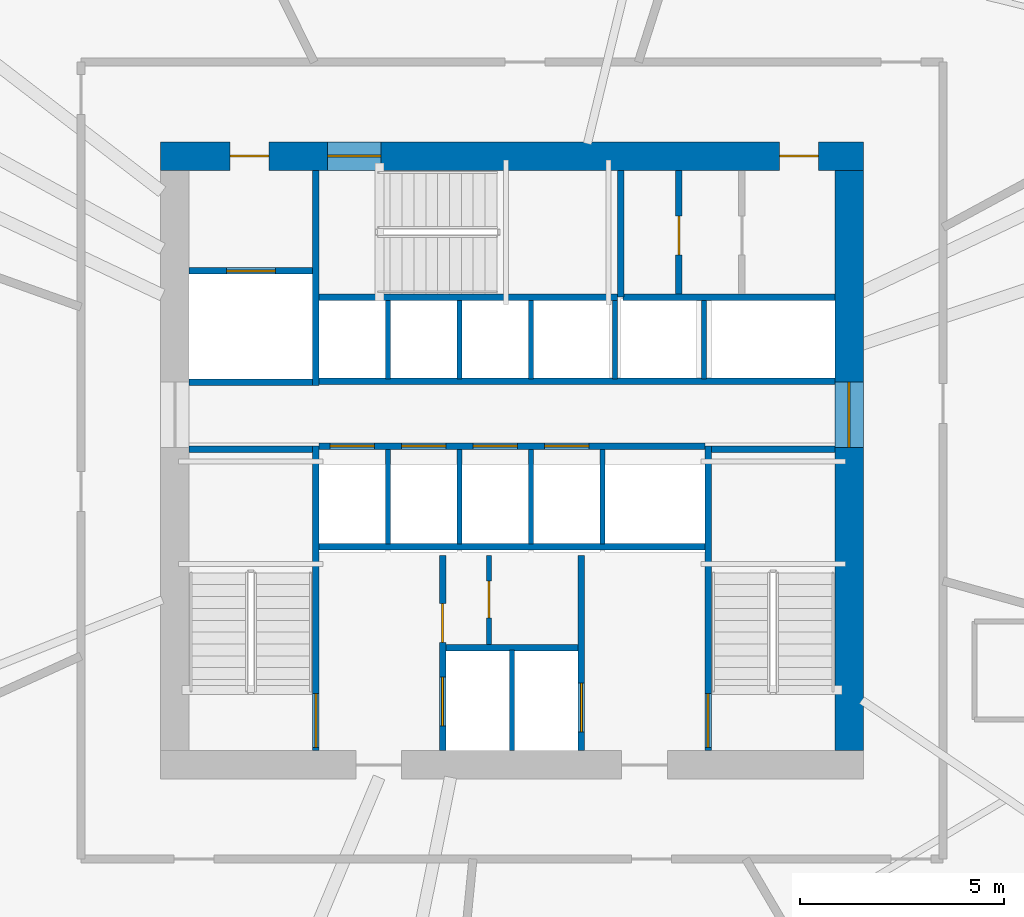
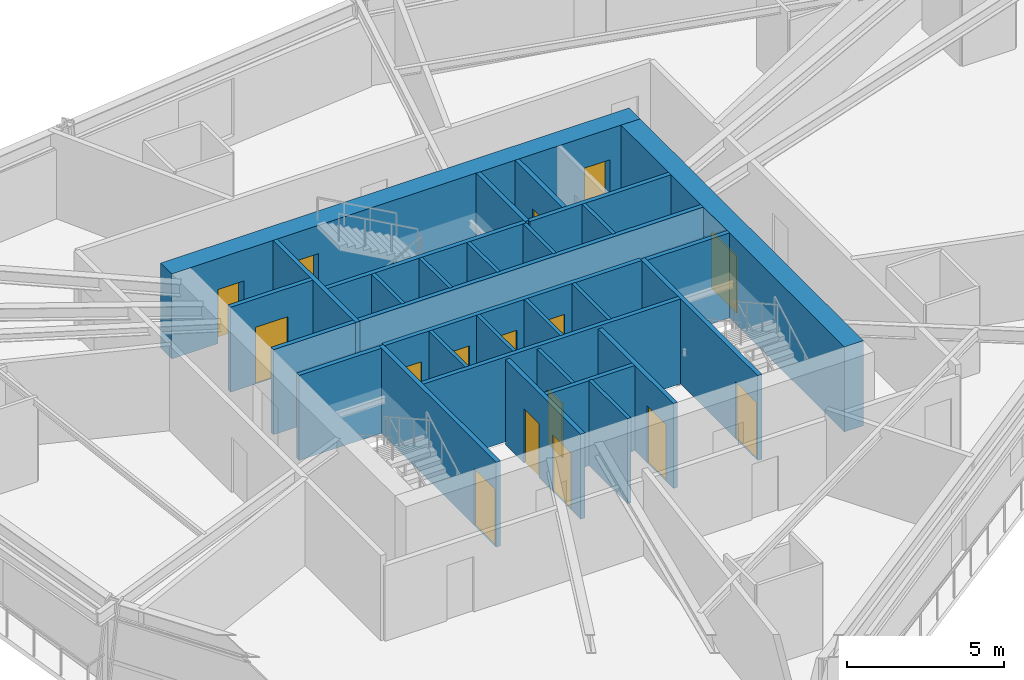
# One storey, part 13 of 18: 30 walls, 16 doors, 16 openings.
"""IFC4 building model written with IfcOpenShell, lengths in metres."""

import ifcopenshell
import ifcopenshell.guid

model = None  # the IFC model being written
_history = None  # IfcOwnerHistory: only IFC2X3 demands one
_inside = {}  # id of a spatial element -> (the spatial element, [elements in it])
_under = {}  # id of a project, library or spatial element -> (it, [spatial elements below it])
_declared = {}  # id of a project -> (the project, [libraries it declares])
_typed = {}  # id of a type object -> (the type object, [elements of that type])
_made_of = {}  # id of a material, layer set ... -> (it, [elements and type objects made of it])


def new_model(schema):
    """Start an empty IFC model of exactly this schema.

    Asked for "IFC4X3", IfcOpenShell would pick the latest addendum, in which some entities
    have other attributes; the version numbers below select the first issue.
    IFC2X3 requires an IfcOwnerHistory on every rooted entity: one is made here for all.
    """
    global model, _history
    if schema == "IFC4X3":
        model = ifcopenshell.file(schema_version=(4, 3, 0, 0))
    else:
        model = ifcopenshell.file(schema=schema)
    _inside.clear()
    _under.clear()
    _declared.clear()
    _typed.clear()
    _made_of.clear()
    _history = None
    if model.schema == "IFC2X3":
        org = make("IfcOrganization", Name="unknown")
        user = make(
            "IfcPersonAndOrganization",
            ThePerson=make("IfcPerson", FamilyName="unknown"),
            TheOrganization=org,
        )
        app = make(
            "IfcApplication",
            ApplicationDeveloper=org,
            Version="unknown",
            ApplicationFullName="unknown",
            ApplicationIdentifier="unknown",
        )
        _history = make(
            "IfcOwnerHistory",
            OwningUser=user,
            OwningApplication=app,
            ChangeAction="ADDED",
            CreationDate=0,
        )
    return model


def make(cls, **values):
    """One entity of the class cls with the attributes given. An attribute that is None is left unset."""
    return model.create_entity(
        cls, **{name: value for name, value in values.items() if value is not None}
    )


def rooted(cls, **values):
    """An entity with a GlobalId (a new one), such as an element, a storey or a relation."""
    return make(cls, GlobalId=ifcopenshell.guid.new(), OwnerHistory=_history, **values)


def si_unit(unit_type, name, prefix=None):
    """IfcSIUnit, for example si_unit("LENGTHUNIT", "METRE", prefix="MILLI")."""
    return make("IfcSIUnit", UnitType=unit_type, Prefix=prefix, Name=name)


def assignment(units):
    """IfcUnitAssignment: the units of a project."""
    return None if units is None else make("IfcUnitAssignment", Units=units)


def point(xyz):
    """IfcCartesianPoint."""
    return None if xyz is None else make("IfcCartesianPoint", Coordinates=xyz)


def direction(xyz):
    """IfcDirection."""
    return None if xyz is None else make("IfcDirection", DirectionRatios=xyz)


def frame(location, z_axis=None, x_axis=None):
    """IfcAxis2Placement3D, a coordinate frame: its origin and axes. An axis left out is left unset."""
    return make(
        "IfcAxis2Placement3D",
        Location=point(location),
        Axis=direction(z_axis),
        RefDirection=direction(x_axis),
    )


def frame_2d(location, x_axis=None):
    """IfcAxis2Placement2D, a coordinate frame in the plane: its origin and x axis."""
    return make(
        "IfcAxis2Placement2D", Location=point(location), RefDirection=direction(x_axis)
    )


def origin():
    """The frame at (0, 0, 0) with its axes left unset."""
    return frame((0.0, 0.0, 0.0))


def place(relative_to, where):
    """IfcLocalPlacement: puts the frame where relative to a parent placement (None: the world)."""
    return make(
        "IfcLocalPlacement", PlacementRelTo=relative_to, RelativePlacement=where
    )


def context(
    kind, dimensions, precision=None, world=None, true_north=None, identifier=None
):
    """IfcGeometricRepresentationContext, for example the 3D "Model" context."""
    return make(
        "IfcGeometricRepresentationContext",
        ContextIdentifier=identifier,
        ContextType=kind,
        CoordinateSpaceDimension=dimensions,
        Precision=precision,
        WorldCoordinateSystem=world,
        TrueNorth=true_north,
    )


def subcontext(parent, identifier, kind, view, scale=None):
    """IfcGeometricRepresentationSubContext, for example "Body" below "Model"."""
    return make(
        "IfcGeometricRepresentationSubContext",
        ContextIdentifier=identifier,
        ContextType=kind,
        ParentContext=parent,
        TargetScale=scale,
        TargetView=view,
    )


def project(units=None, contexts=None):
    """IfcProject with its units and contexts."""
    return rooted(
        "IfcProject",
        Name="project",
        RepresentationContexts=contexts,
        UnitsInContext=assignment(units),
    )


def spatial(cls, under=None, at=None, **own):
    """A site, building, storey or space (cls), placed at a placement, below another one or the project."""
    s = rooted(cls, ObjectPlacement=at, **own)
    if under is not None:
        _under.setdefault(under.id(), (under, []))[1].append(s)
    return s


def profile(cls, at=None, kind="AREA", **sizes):
    """A parametric profile (cls). Its sizes go by their IFC names, for example OverallWidth=200.0."""
    return make(cls, ProfileType=kind, Position=at, **sizes)


def rectangle(**sizes):
    """IfcRectangleProfileDef."""
    return profile("IfcRectangleProfileDef", **sizes)


def extrude(swept, where, along, depth):
    """IfcExtrudedAreaSolid: the profile swept, set in the frame where, extruded along a direction by depth."""
    return make(
        "IfcExtrudedAreaSolid",
        SweptArea=swept,
        Position=where,
        ExtrudedDirection=direction(along),
        Depth=depth,
    )


def shape(context_of_items, identifier, shape_type, items):
    """IfcShapeRepresentation: the items that make up one representation, for example the "Body"."""
    return make(
        "IfcShapeRepresentation",
        ContextOfItems=context_of_items,
        RepresentationIdentifier=identifier,
        RepresentationType=shape_type,
        Items=items,
    )


def source(mapping_origin, context_of_items, identifier, shape_type, items):
    """IfcRepresentationMap: a shape defined once, which mapped items show again and again."""
    return make(
        "IfcRepresentationMap",
        MappingOrigin=mapping_origin,
        MappedRepresentation=shape(context_of_items, identifier, shape_type, items),
    )


def transform(
    local_origin,
    x_axis=None,
    y_axis=None,
    z_axis=None,
    scale=None,
    scale2=None,
    scale3=None,
    uniform=True,
):
    """IfcCartesianTransformationOperator3D, or its non-uniform kind. x_axis, y_axis, z_axis: its Axis1, 2, 3."""
    if uniform:
        return make(
            "IfcCartesianTransformationOperator3D",
            Axis1=direction(x_axis),
            Axis2=direction(y_axis),
            LocalOrigin=point(local_origin),
            Scale=scale,
            Axis3=direction(z_axis),
        )
    return make(
        "IfcCartesianTransformationOperator3DnonUniform",
        Axis1=direction(x_axis),
        Axis2=direction(y_axis),
        LocalOrigin=point(local_origin),
        Scale=scale,
        Axis3=direction(z_axis),
        Scale2=scale2,
        Scale3=scale3,
    )


def mapped(mapping_source, mapping_target):
    """IfcMappedItem: shows the shape of a source again, moved by a transform."""
    return make(
        "IfcMappedItem", MappingSource=mapping_source, MappingTarget=mapping_target
    )


def material(Name=None, Category=None):
    """IfcMaterial."""
    return make("IfcMaterial", Name=Name, Category=Category)


def layer(
    of_material, thickness, ventilated=None, Name=None, Category=None, Priority=None
):
    """IfcMaterialLayer: one layer of a wall or slab, of a material (None: an air gap)."""
    return make(
        "IfcMaterialLayer",
        Material=of_material,
        LayerThickness=thickness,
        IsVentilated=ventilated,
        Name=Name,
        Category=Category,
        Priority=Priority,
    )


def layer_set(layers, Name=None):
    """IfcMaterialLayerSet."""
    return make("IfcMaterialLayerSet", MaterialLayers=layers, LayerSetName=Name)


def made_of(thing, what):
    """Note that an element or type object is made of a material, layer set ...; save() writes the relation."""
    if what is not None:
        _made_of.setdefault(what.id(), (what, []))[1].append(thing)
    return thing


def type_object(cls, material=None, **own):
    """A type object (cls), such as IfcWallType, which elements share."""
    return made_of(rooted(cls, **own), material)


def type_shapes(of_type, sources):
    """Give a type object the sources (RepresentationMaps) that its elements show as mapped items."""
    of_type.RepresentationMaps = sources


def element(
    cls,
    number,
    at=None,
    inside=None,
    cuts=None,
    type_object=None,
    material=None,
    context=None,
    identifier="Body",
    shape_type=None,
    held_by="IfcProductDefinitionShape",
    body=None,
    shapes=None,
    **own,
):
    """One element of the class cls, such as IfcWall. Its Tag is "e" and its number.

    at: its placement. inside: the storey or other place that contains it. cuts: it is an
    opening in that element (IfcRelVoidsElement). A single representation is given by context,
    identifier, shape_type and body (its items); several are given by shapes. held_by: the class
    of the entity that holds the representations. save() writes the other relations.
    """
    e = rooted(cls, Tag="e%d" % number, ObjectPlacement=at, **own)
    if body is not None:
        shapes = [shape(context, identifier, shape_type, body)]
    if shapes is not None:
        e.Representation = make(held_by, Representations=shapes)
    if inside is not None:
        _inside.setdefault(inside.id(), (inside, []))[1].append(e)
    if cuts is not None:
        rooted(
            "IfcRelVoidsElement", RelatingBuildingElement=cuts, RelatedOpeningElement=e
        )
    if type_object is not None:
        _typed.setdefault(type_object.id(), (type_object, []))[1].append(e)
    return made_of(e, material)


def fill(opening, filler):
    """IfcRelFillsElement: the door or window that sits in an opening."""
    return rooted(
        "IfcRelFillsElement",
        RelatingOpeningElement=opening,
        RelatedBuildingElement=filler,
    )


def aggregate(whole, parts):
    """IfcRelAggregates: a whole, such as a stair, and the parts it consists of."""
    return rooted("IfcRelAggregates", RelatingObject=whole, RelatedObjects=parts)


def save(model, path):
    """Write the relations noted so far, then the file.

    IfcRelAggregates (storeys below a building ...), IfcRelContainedInSpatialStructure (elements
    in a storey), IfcRelDefinesByType, IfcRelAssociatesMaterial and IfcRelDeclares: one each for
    every whole, place, type object, material and project.
    """
    for whole, parts in _under.values():
        aggregate(whole, parts)
    for where, things in _inside.values():
        rooted(
            "IfcRelContainedInSpatialStructure",
            RelatedElements=things,
            RelatingStructure=where,
        )
    for kind, things in _typed.values():
        rooted("IfcRelDefinesByType", RelatedObjects=things, RelatingType=kind)
    for what, things in _made_of.values():
        rooted("IfcRelAssociatesMaterial", RelatedObjects=things, RelatingMaterial=what)
    for by, libraries in _declared.values():
        rooted("IfcRelDeclares", RelatingContext=by, RelatedDefinitions=libraries)
    model.write(path)


model = new_model("IFC4")

# Units and contexts
model_context = context("Model", 3, precision=1e-05, world=origin(), true_north=direction((0.0, 1.0)))
body_context = subcontext(model_context, "Body", "Model", "MODEL_VIEW")
ifc_project = project(units=[si_unit("LENGTHUNIT", "METRE"), si_unit("AREAUNIT", "SQUARE_METRE"), si_unit("VOLUMEUNIT", "CUBIC_METRE"), si_unit("PLANEANGLEUNIT", "RADIAN"), si_unit("MASSUNIT", "GRAM", prefix="KILO")], contexts=[model_context])

# Site, building, storey
site_placement = place(None, origin())
site = spatial("IfcSite", under=ifc_project, at=site_placement, CompositionType="ELEMENT")
building_placement = place(site_placement, origin())
building = spatial("IfcBuilding", under=site, at=building_placement, Name="Olszyna Solenne Hotel", CompositionType="ELEMENT")
storey_placement = place(building_placement, frame((0.0, 0.0, 119.89990234375)))
storey = spatial("IfcBuildingStorey", under=building, at=storey_placement, Name="L31", CompositionType="ELEMENT", Elevation=119.89990234375)

# Wall, openings, doors
ifc_material_1 = material(Name="Concrete C60/75", Category="concrete")
ifc_layer_1 = layer(ifc_material_1, 0.699951171875, Name="Concrete C60/75")
ifc_layer_set_1 = layer_set([ifc_layer_1], Name="Concrete C60/75")
wall_type_1 = type_object("IfcWallType", Name="WL-CR700", PredefinedType="SHEAR", material=ifc_layer_set_1)
wall_1_placement = place(storey_placement, frame((29.39990234375, 34.050048828125, 0.0), z_axis=(0.0, 0.0, 1.0), x_axis=(1.0, 0.0, 0.0)))
wall_1 = element("IfcWall", 1, at=wall_1_placement, inside=storey, type_object=wall_type_1, Name="Core shear wall WL-CR700 CRW-L31-N", PredefinedType="SHEAR", context=body_context, shape_type="SweptSolid", body=[
    extrude(rectangle(XDim=17.2001953125, YDim=0.699951171875, at=frame_2d((8.60009765625, 0.0))), origin(), (0.0, 0.0, 1.0), 3.300048828125),
])
opening_1_placement = place(wall_1_placement, frame((1.699951171875, 0.0, 0.0)))
opening_1 = element("IfcOpeningElement", 2, at=opening_1_placement, cuts=wall_1, Name="Opening SVD-L31-01", PredefinedType="OPENING", context=body_context, shape_type="SweptSolid", body=[
    extrude(rectangle(XDim=0.949951171875, YDim=2.10009765625, at=frame_2d((0.47509765625, 1.050048828125))), frame((0.0, 0.35986328125, 0.0), z_axis=(0.0, -1.0, 0.0), x_axis=(1.0, 0.0, 0.0)), (0.0, 0.0, 1.0), 0.719970703125),
])
opening_2_placement = place(wall_1_placement, frame((4.080078125, 0.0, 0.0)))
opening_2 = element("IfcOpeningElement", 3, at=opening_2_placement, cuts=wall_1, Name="Opening STD-L31-03", PredefinedType="OPENING", context=body_context, shape_type="SweptSolid", body=[
    extrude(rectangle(XDim=1.320068359375, YDim=2.199951171875, at=frame_2d((0.66015625, 1.10009765625))), frame((0.0, 0.35986328125, 0.0), z_axis=(0.0, -1.0, 0.0), x_axis=(1.0, 0.0, 0.0)), (0.0, 0.0, 1.0), 0.719970703125),
])
opening_3_placement = place(wall_1_placement, frame((15.14990234375, 0.0, 0.0)))
opening_3 = element("IfcOpeningElement", 4, at=opening_3_placement, cuts=wall_1, Name="Opening SVD-L31-BN", PredefinedType="OPENING", context=body_context, shape_type="SweptSolid", body=[
    extrude(rectangle(XDim=0.949951171875, YDim=2.10009765625, at=frame_2d((0.47509765625, 1.050048828125))), frame((0.0, 0.35986328125, 0.0), z_axis=(0.0, -1.0, 0.0), x_axis=(1.0, 0.0, 0.0)), (0.0, 0.0, 1.0), 0.719970703125),
])
ifc_material_2 = material(Name="Steel S355J2", Category="steel")
door_type_1 = type_object("IfcDoorType", Name="DR-ST1", OperationType="NOTDEFINED", PredefinedType="DOOR", material=ifc_material_2)
shared_shape_1 = source(origin(), body_context, "Body", "SweptSolid", [
    extrude(rectangle(XDim=1.320068359375, YDim=2.199951171875, at=frame_2d((0.66015625, 1.10009765625))), frame((0.0, 0.02490234375, 0.0), z_axis=(0.0, -1.0, 0.0), x_axis=(1.0, 0.0, 0.0)), (0.0, 0.0, 1.0), 0.050048828125),
])
type_shapes(door_type_1, [shared_shape_1])
door_1_placement = place(opening_2_placement, origin())
door_1 = element("IfcDoor", 5, at=door_1_placement, inside=storey, type_object=door_type_1, Name="Pressurised exit stair ST3 fire door STD-L31-03", OperationType="SINGLE_SWING_RIGHT", OverallHeight=2.199951171875, OverallWidth=1.320068359375, PredefinedType="DOOR", context=body_context, shape_type="MappedRepresentation", body=[
    mapped(shared_shape_1, transform((0.0, 0.0, 0.0), x_axis=(1.0, 0.0, 0.0), y_axis=(0.0, 1.0, 0.0), z_axis=(0.0, 0.0, 1.0), scale=1.0)),
])
fill(opening_2, door_1)
door_type_2 = type_object("IfcDoorType", Name="DR-SV1", OperationType="NOTDEFINED", PredefinedType="DOOR", material=ifc_material_2)
shared_shape_2 = source(origin(), body_context, "Body", "SweptSolid", [
    extrude(rectangle(XDim=0.949951171875, YDim=2.10009765625, at=frame_2d((0.47509765625, 1.050048828125))), frame((0.0, 0.02490234375, 0.0), z_axis=(0.0, -1.0, 0.0), x_axis=(1.0, 0.0, 0.0)), (0.0, 0.0, 1.0), 0.050048828125),
])
type_shapes(door_type_2, [shared_shape_2])
door_2_placement = place(opening_1_placement, origin())
door_2 = element("IfcDoor", 6, at=door_2_placement, inside=storey, type_object=door_type_2, Name="Service lift lobby fire door SVD-L31-01", OperationType="SINGLE_SWING_LEFT", OverallHeight=2.10009765625, OverallWidth=0.949951171875, PredefinedType="DOOR", context=body_context, shape_type="MappedRepresentation", body=[
    mapped(shared_shape_2, transform((0.0, 0.0, 0.0), x_axis=(1.0, 0.0, 0.0), y_axis=(0.0, 1.0, 0.0), z_axis=(0.0, 0.0, 1.0), scale=1.0)),
])
fill(opening_1, door_2)
door_3_placement = place(opening_3_placement, origin())
door_3 = element("IfcDoor", 7, at=door_3_placement, inside=storey, type_object=door_type_2, Name="Housekeeping core fire door SVD-L31-BN", OperationType="SINGLE_SWING_LEFT", OverallHeight=2.10009765625, OverallWidth=0.949951171875, PredefinedType="DOOR", context=body_context, shape_type="MappedRepresentation", body=[
    mapped(shared_shape_2, transform((0.0, 0.0, 0.0), x_axis=(1.0, 0.0, 0.0), y_axis=(0.0, 1.0, 0.0), z_axis=(0.0, 0.0, 1.0), scale=1.0)),
])
fill(opening_3, door_3)

# Wall, opening, door
wall_2_placement = place(storey_placement, frame((46.25, 33.699951171875, 0.0), z_axis=(0.0, 0.0, 1.0), x_axis=(0.0, -1.0, 0.0)))
wall_2 = element("IfcWall", 8, at=wall_2_placement, inside=storey, type_object=wall_type_1, Name="Core shear wall WL-CR700 CRW-L31-E", PredefinedType="SHEAR", context=body_context, shape_type="SweptSolid", body=[
    extrude(rectangle(XDim=14.199951171875, YDim=0.699951171875, at=frame_2d((7.10009765625, 0.0))), origin(), (0.0, 0.0, 1.0), 3.300048828125),
])
opening_4_placement = place(wall_2_placement, frame((5.179931640625, 0.0, 0.0)))
opening_4 = element("IfcOpeningElement", 9, at=opening_4_placement, cuts=wall_2, Name="Opening LHD-L31-E", PredefinedType="OPENING", context=body_context, shape_type="SweptSolid", body=[
    extrude(rectangle(XDim=1.60009765625, YDim=2.199951171875, at=frame_2d((0.800048828125, 1.10009765625))), frame((0.0, 0.35986328125, 0.0), z_axis=(0.0, -1.0, 0.0), x_axis=(1.0, 0.0, 0.0)), (0.0, 0.0, 1.0), 0.719970703125),
])
ifc_material_3 = material(Name="Timber hardwood", Category="wood")
door_type_3 = type_object("IfcDoorType", Name="DR-CR1", OperationType="DOUBLE_DOOR_SINGLE_SWING", PredefinedType="DOOR", material=ifc_material_3)
shared_shape_3 = source(origin(), body_context, "Body", "SweptSolid", [
    extrude(rectangle(XDim=1.60009765625, YDim=2.199951171875, at=frame_2d((0.800048828125, 1.10009765625))), frame((0.0, 0.02490234375, 0.0), z_axis=(0.0, -1.0, 0.0), x_axis=(1.0, 0.0, 0.0)), (0.0, 0.0, 1.0), 0.050048828125),
])
type_shapes(door_type_3, [shared_shape_3])
door_4_placement = place(opening_4_placement, origin())
door_4 = element("IfcDoor", 10, at=door_4_placement, inside=storey, type_object=door_type_3, Name="Passenger lift lobby East fire door LHD-L31-E", OperationType="DOUBLE_DOOR_SINGLE_SWING", OverallHeight=2.199951171875, OverallWidth=1.60009765625, PredefinedType="DOOR", context=body_context, shape_type="MappedRepresentation", body=[
    mapped(shared_shape_3, transform((0.0, 0.0, 0.0), x_axis=(1.0, 0.0, 0.0), y_axis=(0.0, 1.0, 0.0), z_axis=(0.0, 0.0, 1.0), scale=1.0)),
])
fill(opening_4, door_4)

# Wall
ifc_material_4 = material(Name="Acoustic gypsum partition", Category="gypsum")
ifc_layer_2 = layer(ifc_material_4, 0.125, Name="Acoustic gypsum partition")
ifc_layer_set_2 = layer_set([ifc_layer_2], Name="Acoustic gypsum partition")
wall_type_2 = type_object("IfcWallType", Name="WL-PT125", PredefinedType="PARTITIONING", material=ifc_layer_set_2)
wall_3_placement = place(storey_placement, frame((38.0, 19.5, 0.0), z_axis=(0.0, 0.0, 1.0), x_axis=(0.0, 1.0, 0.0)))
element("IfcWall", 11, at=wall_3_placement, inside=storey, type_object=wall_type_2, Name="Core shaft compartment wall CW-L31-FFM", PredefinedType="PARTITIONING", context=body_context, shape_type="SweptSolid", body=[
    extrude(rectangle(XDim=2.4599609375, YDim=0.125, at=frame_2d((1.22998046875, 0.0))), origin(), (0.0, 0.0, 1.0), 3.300048828125),
])

# Wall, opening, door
wall_4_placement = place(storey_placement, frame((37.44189453125, 22.10009765625, 0.0), z_axis=(0.0, 0.0, 1.0), x_axis=(0.0, 1.0, 0.0)))
wall_4 = element("IfcWall", 12, at=wall_4_placement, inside=storey, type_object=wall_type_2, Name="Core shaft compartment wall CW-L31-SC3", PredefinedType="PARTITIONING", context=body_context, shape_type="SweptSolid", body=[
    extrude(rectangle(XDim=2.179931640625, YDim=0.125, at=frame_2d((1.08984375, 0.0))), origin(), (0.0, 0.0, 1.0), 3.300048828125),
])
opening_5_placement = place(wall_4_placement, frame((0.64990234375, 0.0, 0.0)))
opening_5 = element("IfcOpeningElement", 13, at=opening_5_placement, cuts=wall_4, Name="Opening SVD-L31-SC3", PredefinedType="OPENING", context=body_context, shape_type="SweptSolid", body=[
    extrude(rectangle(XDim=0.89990234375, YDim=2.10009765625, at=frame_2d((0.449951171875, 1.050048828125))), frame((0.0, 0.072509765625, 0.0), z_axis=(0.0, -1.0, 0.0), x_axis=(1.0, 0.0, 0.0)), (0.0, 0.0, 1.0), 0.14501953125),
])
door_type_4 = type_object("IfcDoorType", Name="DR-WC1", OperationType="NOTDEFINED", PredefinedType="DOOR", material=ifc_material_3)
shared_shape_4 = source(origin(), body_context, "Body", "SweptSolid", [
    extrude(rectangle(XDim=0.89990234375, YDim=2.10009765625, at=frame_2d((0.449951171875, 1.050048828125))), frame((0.0, 0.02490234375, 0.0), z_axis=(0.0, -1.0, 0.0), x_axis=(1.0, 0.0, 0.0)), (0.0, 0.0, 1.0), 0.050048828125),
])
type_shapes(door_type_4, [shared_shape_4])
door_5_placement = place(opening_5_placement, origin())
door_5 = element("IfcDoor", 14, at=door_5_placement, inside=storey, type_object=door_type_4, Name="Trolley bay door SVD-L31-SC3", OperationType="SINGLE_SWING_LEFT", OverallHeight=2.10009765625, OverallWidth=0.89990234375, PredefinedType="DOOR", context=body_context, shape_type="MappedRepresentation", body=[
    mapped(shared_shape_4, transform((0.0, 0.0, 0.0), x_axis=(1.0, 0.0, 0.0), y_axis=(0.0, 1.0, 0.0), z_axis=(0.0, 0.0, 1.0), scale=1.0)),
])
fill(opening_5, door_5)

# Walls
for number, where, z_axis, x_axis, name in (
    (15, (34.965087890625, 24.56005859375, 0.0), (0.0, 0.0, 1.0), (0.0, 1.0, 0.0), "Core shaft compartment wall CW-L31-DIVS349"),
    (16, (36.715087890625, 24.56005859375, 0.0), (0.0, 0.0, 1.0), (0.0, 1.0, 0.0), "Core shaft compartment wall CW-L31-DIVS367"),
    (17, (38.465087890625, 24.56005859375, 0.0), (0.0, 0.0, 1.0), (0.0, 1.0, 0.0), "Core shaft compartment wall CW-L31-DIVS384"),
    (18, (40.215087890625, 24.56005859375, 0.0), (0.0, 0.0, 1.0), (0.0, 1.0, 0.0), "Core shaft compartment wall CW-L31-DIVS402"),
):
    element("IfcWall", number, at=place(storey_placement, frame(where, z_axis=z_axis, x_axis=x_axis)), inside=storey, type_object=wall_type_2, Name=name, PredefinedType="PARTITIONING", context=body_context, shape_type="SweptSolid", body=[
        extrude(rectangle(XDim=2.31005859375, YDim=0.125, at=frame_2d((1.155029296875, 0.0))), origin(), (0.0, 0.0, 1.0), 3.300048828125),
    ])
for number, where, z_axis, x_axis, name in (
    (19, (34.965087890625, 28.60009765625, 0.0), (0.0, 0.0, 1.0), (0.0, 1.0, 0.0), "Core shaft compartment wall CW-L31-DIVN349"),
    (20, (36.715087890625, 28.60009765625, 0.0), (0.0, 0.0, 1.0), (0.0, 1.0, 0.0), "Core shaft compartment wall CW-L31-DIVN367"),
    (21, (38.465087890625, 28.60009765625, 0.0), (0.0, 0.0, 1.0), (0.0, 1.0, 0.0), "Core shaft compartment wall CW-L31-DIVN384"),
    (22, (40.52490234375, 28.60009765625, 0.0), (0.0, 0.0, 1.0), (0.0, 1.0, 0.0), "Core shaft compartment wall CW-L31-DIVEX405"),
    (23, (42.699951171875, 28.60009765625, 0.0), (0.0, 0.0, 1.0), (0.0, 1.0, 0.0), "Core shaft compartment wall CW-L31-DIVEX427"),
):
    element("IfcWall", number, at=place(storey_placement, frame(where, z_axis=z_axis, x_axis=x_axis)), inside=storey, type_object=wall_type_2, Name=name, PredefinedType="PARTITIONING", context=body_context, shape_type="SweptSolid", body=[
        extrude(rectangle(XDim=1.919921875, YDim=0.125, at=frame_2d((0.9599609375, 0.0))), origin(), (0.0, 0.0, 1.0), 3.300048828125),
    ])

# Wall, opening, door
ifc_layer_3 = layer(ifc_material_4, 0.159912109375, Name="Acoustic gypsum partition")
ifc_layer_set_3 = layer_set([ifc_layer_3], Name="Acoustic gypsum partition")
wall_type_3 = type_object("IfcWallType", Name="WL-PT160", PredefinedType="PARTITIONING", material=ifc_layer_set_3)
wall_5_placement = place(storey_placement, frame((33.199951171875, 19.5, 0.0), z_axis=(0.0, 0.0, 1.0), x_axis=(0.0, 1.0, 0.0)))
wall_5 = element("IfcWall", 24, at=wall_5_placement, inside=storey, type_object=wall_type_3, Name="Core shaft compartment wall CW-L31-ST1E", PredefinedType="PARTITIONING", context=body_context, shape_type="SweptSolid", body=[
    extrude(rectangle(XDim=7.4599609375, YDim=0.159912109375, at=frame_2d((3.72998046875, 0.0))), origin(), (0.0, 0.0, 1.0), 3.300048828125),
])
opening_6_placement = place(wall_5_placement, frame((0.080078125, 0.0, 0.0)))
opening_6 = element("IfcOpeningElement", 25, at=opening_6_placement, cuts=wall_5, Name="Opening STD-L31-01", PredefinedType="OPENING", context=body_context, shape_type="SweptSolid", body=[
    extrude(rectangle(XDim=1.320068359375, YDim=2.199951171875, at=frame_2d((0.66015625, 1.10009765625))), frame((0.0, 0.08984375, 0.0), z_axis=(0.0, -1.0, 0.0), x_axis=(1.0, 0.0, 0.0)), (0.0, 0.0, 1.0), 0.179931640625),
])
door_6_placement = place(opening_6_placement, origin())
door_6 = element("IfcDoor", 26, at=door_6_placement, inside=storey, type_object=door_type_1, Name="Pressurised exit stair ST1 fire door STD-L31-01", OperationType="SINGLE_SWING_LEFT", OverallHeight=2.199951171875, OverallWidth=1.320068359375, PredefinedType="DOOR", context=body_context, shape_type="MappedRepresentation", body=[
    mapped(shared_shape_1, transform((0.0, 0.0, 0.0), x_axis=(1.0, 0.0, 0.0), y_axis=(0.0, 1.0, 0.0), z_axis=(0.0, 0.0, 1.0), scale=1.0)),
])
fill(opening_6, door_6)

# Wall
wall_6_placement = place(storey_placement, frame((30.10009765625, 26.8798828125, 0.0), z_axis=(0.0, 0.0, 1.0), x_axis=(1.0, 0.0, 0.0)))
element("IfcWall", 27, at=wall_6_placement, inside=storey, type_object=wall_type_3, Name="Core shaft compartment wall CW-L31-ST1N", PredefinedType="PARTITIONING", context=body_context, shape_type="SweptSolid", body=[
    extrude(rectangle(XDim=3.02001953125, YDim=0.159912109375, at=frame_2d((1.510009765625, 0.0))), origin(), (0.0, 0.0, 1.0), 3.300048828125),
])

# Wall, opening, door
wall_7_placement = place(storey_placement, frame((42.800048828125, 26.9599609375, 0.0), z_axis=(0.0, 0.0, 1.0), x_axis=(0.0, -1.0, 0.0)))
wall_7 = element("IfcWall", 28, at=wall_7_placement, inside=storey, type_object=wall_type_3, Name="Core shaft compartment wall CW-L31-ST2W", PredefinedType="PARTITIONING", context=body_context, shape_type="SweptSolid", body=[
    extrude(rectangle(XDim=7.4599609375, YDim=0.159912109375, at=frame_2d((3.72998046875, 0.0))), origin(), (0.0, 0.0, 1.0), 3.300048828125),
])
opening_7_placement = place(wall_7_placement, frame((6.06005859375, 0.0, 0.0)))
opening_7 = element("IfcOpeningElement", 29, at=opening_7_placement, cuts=wall_7, Name="Opening STD-L31-02", PredefinedType="OPENING", context=body_context, shape_type="SweptSolid", body=[
    extrude(rectangle(XDim=1.320068359375, YDim=2.199951171875, at=frame_2d((0.66015625, 1.10009765625))), frame((0.0, 0.08984375, 0.0), z_axis=(0.0, -1.0, 0.0), x_axis=(1.0, 0.0, 0.0)), (0.0, 0.0, 1.0), 0.179931640625),
])
door_7_placement = place(opening_7_placement, origin())
door_7 = element("IfcDoor", 30, at=door_7_placement, inside=storey, type_object=door_type_1, Name="Pressurised exit stair ST2 fire door STD-L31-02", OperationType="SINGLE_SWING_RIGHT", OverallHeight=2.199951171875, OverallWidth=1.320068359375, PredefinedType="DOOR", context=body_context, shape_type="MappedRepresentation", body=[
    mapped(shared_shape_1, transform((0.0, 0.0, 0.0), x_axis=(1.0, 0.0, 0.0), y_axis=(0.0, 1.0, 0.0), z_axis=(0.0, 0.0, 1.0), scale=1.0)),
])
fill(opening_7, door_7)

# Walls
wall_8_placement = place(storey_placement, frame((42.8798828125, 26.8798828125, 0.0), z_axis=(0.0, 0.0, 1.0), x_axis=(1.0, 0.0, 0.0)))
element("IfcWall", 31, at=wall_8_placement, inside=storey, type_object=wall_type_3, Name="Core shaft compartment wall CW-L31-ST2N", PredefinedType="PARTITIONING", context=body_context, shape_type="SweptSolid", body=[
    extrude(rectangle(XDim=3.02001953125, YDim=0.159912109375, at=frame_2d((1.510009765625, 0.0))), origin(), (0.0, 0.0, 1.0), 3.300048828125),
])
wall_9_placement = place(storey_placement, frame((33.280029296875, 30.60009765625, 0.0), z_axis=(0.0, 0.0, 1.0), x_axis=(1.0, 0.0, 0.0)))
element("IfcWall", 32, at=wall_9_placement, inside=storey, type_object=wall_type_3, Name="Core shaft compartment wall CW-L31-ST3S", PredefinedType="PARTITIONING", context=body_context, shape_type="SweptSolid", body=[
    extrude(rectangle(XDim=7.300048828125, YDim=0.159912109375, at=frame_2d((3.64990234375, 0.0))), origin(), (0.0, 0.0, 1.0), 3.300048828125),
])
wall_10_placement = place(storey_placement, frame((40.659912109375, 30.60009765625, 0.0), z_axis=(0.0, 0.0, 1.0), x_axis=(0.0, 1.0, 0.0)))
element("IfcWall", 33, at=wall_10_placement, inside=storey, type_object=wall_type_3, Name="Core shaft compartment wall CW-L31-ST3E", PredefinedType="PARTITIONING", context=body_context, shape_type="SweptSolid", body=[
    extrude(rectangle(XDim=3.099853515625, YDim=0.159912109375, at=frame_2d((1.5498046875, 0.0))), origin(), (0.0, 0.0, 1.0), 3.300048828125),
])

# Wall, openings, doors
wall_11_placement = place(storey_placement, frame((36.300048828125, 19.5, 0.0), z_axis=(0.0, 0.0, 1.0), x_axis=(0.0, 1.0, 0.0)))
wall_11 = element("IfcWall", 34, at=wall_11_placement, inside=storey, type_object=wall_type_3, Name="Core shaft compartment wall CW-L31-FF1W", PredefinedType="PARTITIONING", context=body_context, shape_type="SweptSolid", body=[
    extrude(rectangle(XDim=4.780029296875, YDim=0.159912109375, at=frame_2d((2.39013671875, 0.0))), origin(), (0.0, 0.0, 1.0), 3.300048828125),
])
opening_8_placement = place(wall_11_placement, frame((0.60009765625, 0.0, 0.0)))
opening_8 = element("IfcOpeningElement", 35, at=opening_8_placement, cuts=wall_11, Name="Opening LD-L31-FF1", PredefinedType="OPENING", context=body_context, shape_type="SweptSolid", body=[
    extrude(rectangle(XDim=1.199951171875, YDim=2.199951171875, at=frame_2d((0.60009765625, 1.10009765625))), frame((0.0, 0.08984375, 0.0), z_axis=(0.0, -1.0, 0.0), x_axis=(1.0, 0.0, 0.0)), (0.0, 0.0, 1.0), 0.179931640625),
])
opening_9_placement = place(wall_11_placement, frame((2.64990234375, 0.0, 0.0)))
opening_9 = element("IfcOpeningElement", 36, at=opening_9_placement, cuts=wall_11, Name="Opening SVD-L31-SMK", PredefinedType="OPENING", context=body_context, shape_type="SweptSolid", body=[
    extrude(rectangle(XDim=0.949951171875, YDim=2.10009765625, at=frame_2d((0.47509765625, 1.050048828125))), frame((0.0, 0.08984375, 0.0), z_axis=(0.0, -1.0, 0.0), x_axis=(1.0, 0.0, 0.0)), (0.0, 0.0, 1.0), 0.179931640625),
])
door_8_placement = place(opening_9_placement, origin())
door_8 = element("IfcDoor", 37, at=door_8_placement, inside=storey, type_object=door_type_2, Name="Valet and core service room door SVD-L31-SMK", OperationType="SINGLE_SWING_LEFT", OverallHeight=2.10009765625, OverallWidth=0.949951171875, PredefinedType="DOOR", context=body_context, shape_type="MappedRepresentation", body=[
    mapped(shared_shape_2, transform((0.0, 0.0, 0.0), x_axis=(1.0, 0.0, 0.0), y_axis=(0.0, 1.0, 0.0), z_axis=(0.0, 0.0, 1.0), scale=1.0)),
])
fill(opening_9, door_8)
door_type_5 = type_object("IfcDoorType", Name="LD-FF1", OperationType="DOUBLE_DOOR_SLIDING", PredefinedType="DOOR", material=ifc_material_2)
shared_shape_5 = source(origin(), body_context, "Body", "SweptSolid", [
    extrude(rectangle(XDim=1.199951171875, YDim=2.199951171875, at=frame_2d((0.60009765625, 1.10009765625))), frame((0.0, 0.02490234375, 0.0), z_axis=(0.0, -1.0, 0.0), x_axis=(1.0, 0.0, 0.0)), (0.0, 0.0, 1.0), 0.050048828125),
])
type_shapes(door_type_5, [shared_shape_5])
door_9_placement = place(opening_8_placement, origin())
door_9 = element("IfcDoor", 38, at=door_9_placement, inside=storey, type_object=door_type_5, Name="Firefighters lift FF1 sliding landing door LD-L31-FF1", OperationType="DOUBLE_DOOR_SLIDING", OverallHeight=2.199951171875, OverallWidth=1.199951171875, PredefinedType="DOOR", context=body_context, shape_type="MappedRepresentation", body=[
    mapped(shared_shape_5, transform((0.0, 0.0, 0.0), x_axis=(1.0, 0.0, 0.0), y_axis=(0.0, 1.0, 0.0), z_axis=(0.0, 0.0, 1.0), scale=1.0)),
])
fill(opening_8, door_9)

# Wall, opening, door
wall_12_placement = place(storey_placement, frame((39.699951171875, 24.280029296875, 0.0), z_axis=(0.0, 0.0, 1.0), x_axis=(0.0, -1.0, 0.0)))
wall_12 = element("IfcWall", 39, at=wall_12_placement, inside=storey, type_object=wall_type_3, Name="Core shaft compartment wall CW-L31-FF2E", PredefinedType="PARTITIONING", context=body_context, shape_type="SweptSolid", body=[
    extrude(rectangle(XDim=4.780029296875, YDim=0.159912109375, at=frame_2d((2.39013671875, 0.0))), origin(), (0.0, 0.0, 1.0), 3.300048828125),
])
opening_10_placement = place(wall_12_placement, frame((3.1201171875, 0.0, 0.0)))
opening_10 = element("IfcOpeningElement", 40, at=opening_10_placement, cuts=wall_12, Name="Opening LD-L31-FF2", PredefinedType="OPENING", context=body_context, shape_type="SweptSolid", body=[
    extrude(rectangle(XDim=1.199951171875, YDim=2.199951171875, at=frame_2d((0.60009765625, 1.10009765625))), frame((0.0, 0.08984375, 0.0), z_axis=(0.0, -1.0, 0.0), x_axis=(1.0, 0.0, 0.0)), (0.0, 0.0, 1.0), 0.179931640625),
])
door_10_placement = place(opening_10_placement, origin())
door_10 = element("IfcDoor", 41, at=door_10_placement, inside=storey, type_object=door_type_5, Name="Firefighters lift FF2 sliding landing door LD-L31-FF2", OperationType="DOUBLE_DOOR_SLIDING", OverallHeight=2.199951171875, OverallWidth=1.199951171875, PredefinedType="DOOR", context=body_context, shape_type="MappedRepresentation", body=[
    mapped(shared_shape_5, transform((0.0, 0.0, 0.0), x_axis=(1.0, 0.0, 0.0), y_axis=(0.0, 1.0, 0.0), z_axis=(0.0, 0.0, 1.0), scale=1.0)),
])
fill(opening_10, door_10)

# Walls
wall_13_placement = place(storey_placement, frame((36.3798828125, 22.02001953125, 0.0), z_axis=(0.0, 0.0, 1.0), x_axis=(1.0, 0.0, 0.0)))
element("IfcWall", 42, at=wall_13_placement, inside=storey, type_object=wall_type_3, Name="Core shaft compartment wall CW-L31-FFN", PredefinedType="PARTITIONING", context=body_context, shape_type="SweptSolid", body=[
    extrude(rectangle(XDim=3.240234375, YDim=0.159912109375, at=frame_2d((1.6201171875, 0.0))), origin(), (0.0, 0.0, 1.0), 3.300048828125),
])
wall_14_placement = place(storey_placement, frame((33.280029296875, 24.489990234375, 0.0), z_axis=(0.0, 0.0, 1.0), x_axis=(1.0, 0.0, 0.0)))
element("IfcWall", 43, at=wall_14_placement, inside=storey, type_object=wall_type_3, Name="Core shaft compartment wall CW-L31-FFBN", PredefinedType="PARTITIONING", context=body_context, shape_type="SweptSolid", body=[
    extrude(rectangle(XDim=9.43994140625, YDim=0.159912109375, at=frame_2d((4.719970703125, 0.0))), origin(), (0.0, 0.0, 1.0), 3.300048828125),
])
wall_15_placement = place(storey_placement, frame((30.10009765625, 28.52001953125, 0.0), z_axis=(0.0, 0.0, 1.0), x_axis=(1.0, 0.0, 0.0)))
element("IfcWall", 44, at=wall_15_placement, inside=storey, type_object=wall_type_3, Name="Core shaft compartment wall CW-L31-SV1S", PredefinedType="PARTITIONING", context=body_context, shape_type="SweptSolid", body=[
    extrude(rectangle(XDim=3.02001953125, YDim=0.159912109375, at=frame_2d((1.510009765625, 0.0))), origin(), (0.0, 0.0, 1.0), 3.300048828125),
])
wall_16_placement = place(storey_placement, frame((33.199951171875, 28.43994140625, 0.0), z_axis=(0.0, 0.0, 1.0), x_axis=(0.0, 1.0, 0.0)))
element("IfcWall", 45, at=wall_16_placement, inside=storey, type_object=wall_type_3, Name="Core shaft compartment wall CW-L31-SV1E", PredefinedType="PARTITIONING", context=body_context, shape_type="SweptSolid", body=[
    extrude(rectangle(XDim=5.260009765625, YDim=0.159912109375, at=frame_2d((2.6298828125, 0.0))), origin(), (0.0, 0.0, 1.0), 3.300048828125),
])

# Wall, opening, door
wall_17_placement = place(storey_placement, frame((30.10009765625, 31.239990234375, 0.0), z_axis=(0.0, 0.0, 1.0), x_axis=(1.0, 0.0, 0.0)))
wall_17 = element("IfcWall", 46, at=wall_17_placement, inside=storey, type_object=wall_type_3, Name="Core shaft compartment wall CW-L31-SV1N", PredefinedType="PARTITIONING", context=body_context, shape_type="SweptSolid", body=[
    extrude(rectangle(XDim=3.02001953125, YDim=0.159912109375, at=frame_2d((1.510009765625, 0.0))), origin(), (0.0, 0.0, 1.0), 3.300048828125),
])
opening_11_placement = place(wall_17_placement, frame((0.909912109375, 0.0, 0.0)))
opening_11 = element("IfcOpeningElement", 47, at=opening_11_placement, cuts=wall_17, Name="Opening LD-L31-SV1", PredefinedType="OPENING", context=body_context, shape_type="SweptSolid", body=[
    extrude(rectangle(XDim=1.199951171875, YDim=2.199951171875, at=frame_2d((0.60009765625, 1.10009765625))), frame((0.0, 0.08984375, 0.0), z_axis=(0.0, -1.0, 0.0), x_axis=(1.0, 0.0, 0.0)), (0.0, 0.0, 1.0), 0.179931640625),
])
door_11_placement = place(opening_11_placement, origin())
door_11 = element("IfcDoor", 48, at=door_11_placement, inside=storey, type_object=door_type_5, Name="Service lift SV1 sliding landing door LD-L31-SV1", OperationType="DOUBLE_DOOR_SLIDING", OverallHeight=2.199951171875, OverallWidth=1.199951171875, PredefinedType="DOOR", context=body_context, shape_type="MappedRepresentation", body=[
    mapped(shared_shape_5, transform((0.0, 0.0, 0.0), x_axis=(1.0, 0.0, 0.0), y_axis=(0.0, 1.0, 0.0), z_axis=(0.0, 0.0, 1.0), scale=1.0)),
])
fill(opening_11, door_11)

# Wall, openings, doors
wall_18_placement = place(storey_placement, frame((33.280029296875, 26.949951171875, 0.0), z_axis=(0.0, 0.0, 1.0), x_axis=(1.0, 0.0, 0.0)))
wall_18 = element("IfcWall", 49, at=wall_18_placement, inside=storey, type_object=wall_type_3, Name="Core shaft compartment wall CW-L31-LRS", PredefinedType="PARTITIONING", context=body_context, shape_type="SweptSolid", body=[
    extrude(rectangle(XDim=9.43994140625, YDim=0.159912109375, at=frame_2d((4.719970703125, 0.0))), origin(), (0.0, 0.0, 1.0), 3.300048828125),
])
opening_12_placement = place(wall_18_placement, frame((0.260009765625, 0.0, 0.0)))
opening_12 = element("IfcOpeningElement", 50, at=opening_12_placement, cuts=wall_18, Name="Opening LD-L31-PL1", PredefinedType="OPENING", context=body_context, shape_type="SweptSolid", body=[
    extrude(rectangle(XDim=1.10009765625, YDim=2.199951171875, at=frame_2d((0.550048828125, 1.10009765625))), frame((0.0, 0.08984375, 0.0), z_axis=(0.0, -1.0, 0.0), x_axis=(1.0, 0.0, 0.0)), (0.0, 0.0, 1.0), 0.179931640625),
])
opening_13_placement = place(wall_18_placement, frame((2.010009765625, 0.0, 0.0)))
opening_13 = element("IfcOpeningElement", 51, at=opening_13_placement, cuts=wall_18, Name="Opening LD-L31-PL2", PredefinedType="OPENING", context=body_context, shape_type="SweptSolid", body=[
    extrude(rectangle(XDim=1.10009765625, YDim=2.199951171875, at=frame_2d((0.550048828125, 1.10009765625))), frame((0.0, 0.08984375, 0.0), z_axis=(0.0, -1.0, 0.0), x_axis=(1.0, 0.0, 0.0)), (0.0, 0.0, 1.0), 0.179931640625),
])
opening_14_placement = place(wall_18_placement, frame((3.760009765625, 0.0, 0.0)))
opening_14 = element("IfcOpeningElement", 52, at=opening_14_placement, cuts=wall_18, Name="Opening LD-L31-PL3", PredefinedType="OPENING", context=body_context, shape_type="SweptSolid", body=[
    extrude(rectangle(XDim=1.10009765625, YDim=2.199951171875, at=frame_2d((0.550048828125, 1.10009765625))), frame((0.0, 0.08984375, 0.0), z_axis=(0.0, -1.0, 0.0), x_axis=(1.0, 0.0, 0.0)), (0.0, 0.0, 1.0), 0.179931640625),
])
opening_15_placement = place(wall_18_placement, frame((5.510009765625, 0.0, 0.0)))
opening_15 = element("IfcOpeningElement", 53, at=opening_15_placement, cuts=wall_18, Name="Opening LD-L31-PL4", PredefinedType="OPENING", context=body_context, shape_type="SweptSolid", body=[
    extrude(rectangle(XDim=1.10009765625, YDim=2.199951171875, at=frame_2d((0.550048828125, 1.10009765625))), frame((0.0, 0.08984375, 0.0), z_axis=(0.0, -1.0, 0.0), x_axis=(1.0, 0.0, 0.0)), (0.0, 0.0, 1.0), 0.179931640625),
])
door_type_6 = type_object("IfcDoorType", Name="LD-P1", OperationType="DOUBLE_DOOR_SLIDING", PredefinedType="DOOR", material=ifc_material_2)
shared_shape_6 = source(origin(), body_context, "Body", "SweptSolid", [
    extrude(rectangle(XDim=1.10009765625, YDim=2.199951171875, at=frame_2d((0.550048828125, 1.10009765625))), frame((0.0, 0.02490234375, 0.0), z_axis=(0.0, -1.0, 0.0), x_axis=(1.0, 0.0, 0.0)), (0.0, 0.0, 1.0), 0.050048828125),
])
type_shapes(door_type_6, [shared_shape_6])
door_12_placement = place(opening_12_placement, origin())
door_12 = element("IfcDoor", 54, at=door_12_placement, inside=storey, type_object=door_type_6, Name="Passenger lift PL1 sliding landing door LD-L31-PL1", OperationType="DOUBLE_DOOR_SLIDING", OverallHeight=2.199951171875, OverallWidth=1.10009765625, PredefinedType="DOOR", context=body_context, shape_type="MappedRepresentation", body=[
    mapped(shared_shape_6, transform((0.0, 0.0, 0.0), x_axis=(1.0, 0.0, 0.0), y_axis=(0.0, 1.0, 0.0), z_axis=(0.0, 0.0, 1.0), scale=1.0)),
])
fill(opening_12, door_12)
door_13_placement = place(opening_13_placement, origin())
door_13 = element("IfcDoor", 55, at=door_13_placement, inside=storey, type_object=door_type_6, Name="Passenger lift PL2 sliding landing door LD-L31-PL2", OperationType="DOUBLE_DOOR_SLIDING", OverallHeight=2.199951171875, OverallWidth=1.10009765625, PredefinedType="DOOR", context=body_context, shape_type="MappedRepresentation", body=[
    mapped(shared_shape_6, transform((0.0, 0.0, 0.0), x_axis=(1.0, 0.0, 0.0), y_axis=(0.0, 1.0, 0.0), z_axis=(0.0, 0.0, 1.0), scale=1.0)),
])
fill(opening_13, door_13)
door_14_placement = place(opening_14_placement, origin())
door_14 = element("IfcDoor", 56, at=door_14_placement, inside=storey, type_object=door_type_6, Name="Passenger lift PL3 sliding landing door LD-L31-PL3", OperationType="DOUBLE_DOOR_SLIDING", OverallHeight=2.199951171875, OverallWidth=1.10009765625, PredefinedType="DOOR", context=body_context, shape_type="MappedRepresentation", body=[
    mapped(shared_shape_6, transform((0.0, 0.0, 0.0), x_axis=(1.0, 0.0, 0.0), y_axis=(0.0, 1.0, 0.0), z_axis=(0.0, 0.0, 1.0), scale=1.0)),
])
fill(opening_14, door_14)
door_15_placement = place(opening_15_placement, origin())
door_15 = element("IfcDoor", 57, at=door_15_placement, inside=storey, type_object=door_type_6, Name="Passenger lift PL4 sliding landing door LD-L31-PL4", OperationType="DOUBLE_DOOR_SLIDING", OverallHeight=2.199951171875, OverallWidth=1.10009765625, PredefinedType="DOOR", context=body_context, shape_type="MappedRepresentation", body=[
    mapped(shared_shape_6, transform((0.0, 0.0, 0.0), x_axis=(1.0, 0.0, 0.0), y_axis=(0.0, 1.0, 0.0), z_axis=(0.0, 0.0, 1.0), scale=1.0)),
])
fill(opening_15, door_15)

# Walls
wall_19_placement = place(storey_placement, frame((33.280029296875, 28.5400390625, 0.0), z_axis=(0.0, 0.0, 1.0), x_axis=(1.0, 0.0, 0.0)))
element("IfcWall", 58, at=wall_19_placement, inside=storey, type_object=wall_type_3, Name="Core shaft compartment wall CW-L31-LRN", PredefinedType="PARTITIONING", context=body_context, shape_type="SweptSolid", body=[
    extrude(rectangle(XDim=12.619873046875, YDim=0.159912109375, at=frame_2d((6.31005859375, 0.0))), origin(), (0.0, 0.0, 1.0), 3.300048828125),
])
wall_20_placement = place(storey_placement, frame((40.719970703125, 30.60009765625, 0.0), z_axis=(0.0, 0.0, 1.0), x_axis=(1.0, 0.0, 0.0)))
element("IfcWall", 59, at=wall_20_placement, inside=storey, type_object=wall_type_3, Name="Core shaft compartment wall CW-L31-LRNTOP", PredefinedType="PARTITIONING", context=body_context, shape_type="SweptSolid", body=[
    extrude(rectangle(XDim=5.179931640625, YDim=0.159912109375, at=frame_2d((2.58984375, 0.0))), origin(), (0.0, 0.0, 1.0), 3.300048828125),
])

# Wall, opening, door
wall_21_placement = place(storey_placement, frame((42.0849609375, 30.679931640625, 0.0), z_axis=(0.0, 0.0, 1.0), x_axis=(0.0, 1.0, 0.0)))
wall_21 = element("IfcWall", 60, at=wall_21_placement, inside=storey, type_object=wall_type_3, Name="Core shaft compartment wall CW-L31-BOH3A", PredefinedType="PARTITIONING", context=body_context, shape_type="SweptSolid", body=[
    extrude(rectangle(XDim=3.02001953125, YDim=0.159912109375, at=frame_2d((1.510009765625, 0.0))), origin(), (0.0, 0.0, 1.0), 3.300048828125),
])
opening_16_placement = place(wall_21_placement, frame((0.949951171875, 0.0, 0.0)))
opening_16 = element("IfcOpeningElement", 61, at=opening_16_placement, cuts=wall_21, Name="Opening SVD-L31-B31", PredefinedType="OPENING", context=body_context, shape_type="SweptSolid", body=[
    extrude(rectangle(XDim=0.949951171875, YDim=2.10009765625, at=frame_2d((0.47509765625, 1.050048828125))), frame((0.0, 0.08984375, 0.0), z_axis=(0.0, -1.0, 0.0), x_axis=(1.0, 0.0, 0.0)), (0.0, 0.0, 1.0), 0.179931640625),
])
door_16_placement = place(opening_16_placement, origin())
door_16 = element("IfcDoor", 62, at=door_16_placement, inside=storey, type_object=door_type_2, Name="BOH inter-room fire door SVD-L31-B31", OperationType="SINGLE_SWING_LEFT", OverallHeight=2.10009765625, OverallWidth=0.949951171875, PredefinedType="DOOR", context=body_context, shape_type="MappedRepresentation", body=[
    mapped(shared_shape_2, transform((0.0, 0.0, 0.0), x_axis=(1.0, 0.0, 0.0), y_axis=(0.0, 1.0, 0.0), z_axis=(0.0, 0.0, 1.0), scale=1.0)),
])
fill(opening_16, door_16)

save(model, "model.ifc")
